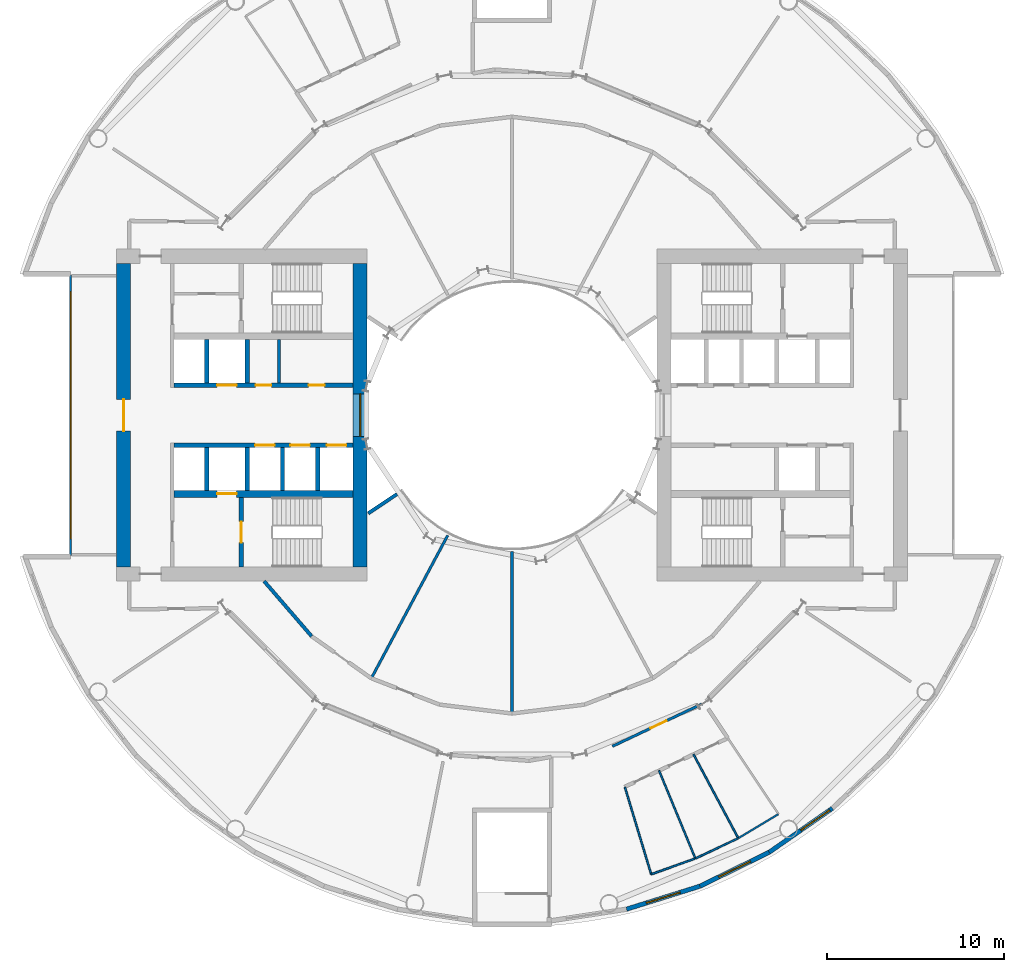
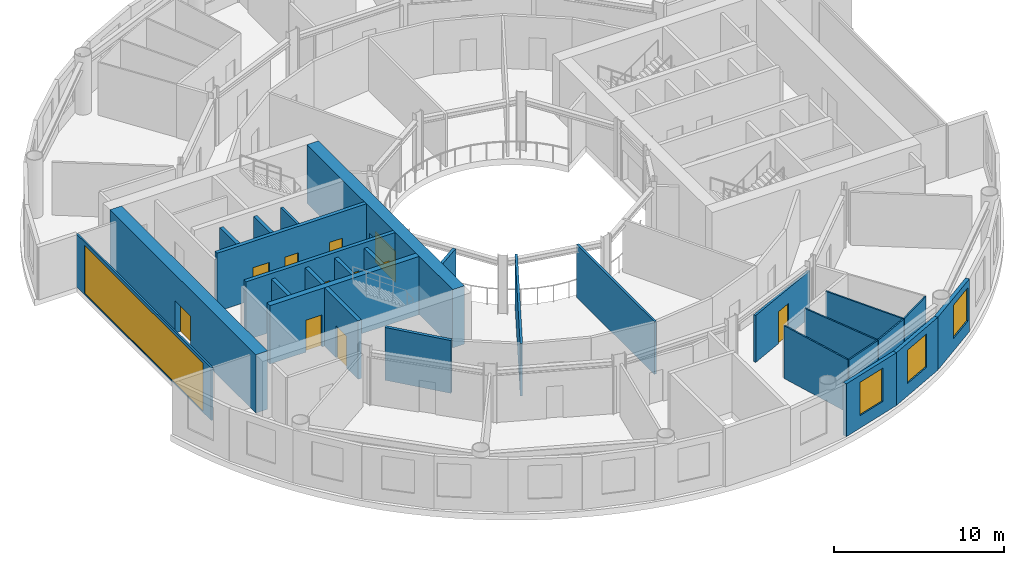
# One storey, part 5 of 13: 28 walls, 10 doors, 5 windows, 15 openings.
"""IFC4 building model written with IfcOpenShell, lengths in metres."""

from ifc_helpers import new_model, si_unit, direction, frame, frame_2d, origin, place, context, subcontext, project, spatial, rectangle, extrude, material, layer, layer_set, type_object, element, fill, save


model = new_model("IFC4")

# Units and contexts
model_context = context("Model", 3, precision=1e-05, world=origin(), true_north=direction((0.0, 1.0)))
body_context = subcontext(model_context, "Body", "Model", "MODEL_VIEW")
ifc_project = project(units=[si_unit("LENGTHUNIT", "METRE"), si_unit("AREAUNIT", "SQUARE_METRE"), si_unit("VOLUMEUNIT", "CUBIC_METRE"), si_unit("PLANEANGLEUNIT", "RADIAN"), si_unit("MASSUNIT", "GRAM", prefix="KILO")], contexts=[model_context])

# Site, building, storey
site_placement = place(None, origin())
site = spatial("IfcSite", under=ifc_project, at=site_placement, CompositionType="ELEMENT")
building_placement = place(site_placement, origin())
building = spatial("IfcBuilding", under=site, at=building_placement, Name="Maasbend Ring Residences", CompositionType="ELEMENT")
storey_placement = place(building_placement, frame((0.0, 0.0, 14.10009765625)))
storey = spatial("IfcBuildingStorey", under=building, at=storey_placement, Name="L03", CompositionType="ELEMENT", Elevation=14.10009765625)

# Wall, openings, doors
ifc_material_1 = material(Name="Concrete C70/85", Category="concrete")
ifc_layer_1 = layer(ifc_material_1, 0.25)
ifc_layer_set_1 = layer_set([ifc_layer_1], Name="Concrete C70/85")
wall_type_1 = type_object("IfcWallType", Name="CORE WALL 250 C70/85", PredefinedType="SHEAR", material=ifc_layer_set_1)
wall_1_placement = place(storey_placement, frame((-9.0, -1.699951171875, 0.0), z_axis=(0.0, 0.0, 1.0), x_axis=(-1.0, 0.0, 0.0)))
wall_1 = element("IfcWall", 1, at=wall_1_placement, inside=storey, type_object=wall_type_1, Name="L03 core W wall SPN", PredefinedType="SHEAR", context=body_context, shape_type="SweptSolid", body=[
    extrude(rectangle(XDim=10.14990234375, YDim=0.25, at=frame_2d((5.074951171875, 0.0))), origin(), (0.0, 0.0, 1.0), 4.199951171875),
])
opening_1_placement = place(wall_1_placement, frame((0.387451171875, 0.0, 0.0)))
opening_1 = element("IfcOpeningElement", 2, at=opening_1_placement, cuts=wall_1, Name="Opening LD-W0301", PredefinedType="OPENING", context=body_context, shape_type="SweptSolid", body=[
    extrude(rectangle(XDim=1.10009765625, YDim=2.300048828125, at=frame_2d((0.550048828125, 1.14990234375))), frame((0.0, 0.135009765625, 0.0), z_axis=(0.0, -1.0, 0.0), x_axis=(1.0, 0.0, 0.0)), (0.0, 0.0, 1.0), 0.27001953125),
])
opening_2_placement = place(wall_1_placement, frame((2.449951171875, 0.0, 0.0)))
opening_2 = element("IfcOpeningElement", 3, at=opening_2_placement, cuts=wall_1, Name="Opening LD-W0302", PredefinedType="OPENING", context=body_context, shape_type="SweptSolid", body=[
    extrude(rectangle(XDim=1.10009765625, YDim=2.300048828125, at=frame_2d((0.550048828125, 1.14990234375))), frame((0.0, 0.135009765625, 0.0), z_axis=(0.0, -1.0, 0.0), x_axis=(1.0, 0.0, 0.0)), (0.0, 0.0, 1.0), 0.27001953125),
])
opening_3_placement = place(wall_1_placement, frame((4.449951171875, 0.0, 0.0)))
opening_3 = element("IfcOpeningElement", 4, at=opening_3_placement, cuts=wall_1, Name="Opening LD-W0303", PredefinedType="OPENING", context=body_context, shape_type="SweptSolid", body=[
    extrude(rectangle(XDim=1.10009765625, YDim=2.300048828125, at=frame_2d((0.550048828125, 1.14990234375))), frame((0.0, 0.135009765625, 0.0), z_axis=(0.0, -1.0, 0.0), x_axis=(1.0, 0.0, 0.0)), (0.0, 0.0, 1.0), 0.27001953125),
])
ifc_material_2 = material(Name="Stainless steel 316", Category="steel")
door_type_1 = type_object("IfcDoorType", Name="LANDING DOOR 1100 X 2300 FD60", OperationType="DOUBLE_DOOR_SLIDING", PredefinedType="DOOR", material=ifc_material_2)
door_1_placement = place(opening_1_placement, origin())
door_1 = element("IfcDoor", 5, at=door_1_placement, inside=storey, type_object=door_type_1, Name="Landing door LR-W1 L03", OperationType="DOUBLE_DOOR_SLIDING", OverallHeight=2.300048828125, OverallWidth=1.10009765625, PredefinedType="DOOR", context=body_context, shape_type="SweptSolid", body=[
    extrude(rectangle(XDim=1.10009765625, YDim=2.300048828125, at=frame_2d((0.550048828125, 1.14990234375))), frame((0.0, 0.02490234375, 0.0), z_axis=(0.0, -1.0, 0.0), x_axis=(1.0, 0.0, 0.0)), (0.0, 0.0, 1.0), 0.050048828125),
])
fill(opening_1, door_1)
door_2_placement = place(opening_2_placement, origin())
door_2 = element("IfcDoor", 6, at=door_2_placement, inside=storey, type_object=door_type_1, Name="Landing door LR-W2 L03", OperationType="DOUBLE_DOOR_SLIDING", OverallHeight=2.300048828125, OverallWidth=1.10009765625, PredefinedType="DOOR", context=body_context, shape_type="SweptSolid", body=[
    extrude(rectangle(XDim=1.10009765625, YDim=2.300048828125, at=frame_2d((0.550048828125, 1.14990234375))), frame((0.0, 0.02490234375, 0.0), z_axis=(0.0, -1.0, 0.0), x_axis=(1.0, 0.0, 0.0)), (0.0, 0.0, 1.0), 0.050048828125),
])
fill(opening_2, door_2)
door_3_placement = place(opening_3_placement, origin())
door_3 = element("IfcDoor", 7, at=door_3_placement, inside=storey, type_object=door_type_1, Name="Landing door LR-W3 L03", OperationType="DOUBLE_DOOR_SLIDING", OverallHeight=2.300048828125, OverallWidth=1.10009765625, PredefinedType="DOOR", context=body_context, shape_type="SweptSolid", body=[
    extrude(rectangle(XDim=1.10009765625, YDim=2.300048828125, at=frame_2d((0.550048828125, 1.14990234375))), frame((0.0, 0.02490234375, 0.0), z_axis=(0.0, -1.0, 0.0), x_axis=(1.0, 0.0, 0.0)), (0.0, 0.0, 1.0), 0.050048828125),
])
fill(opening_3, door_3)

# Wall, opening, door
wall_2_placement = place(storey_placement, frame((-15.324951171875, -4.64990234375, 0.0), z_axis=(0.0, 0.0, 1.0), x_axis=(0.0, -1.0, 0.0)))
wall_2 = element("IfcWall", 8, at=wall_2_placement, inside=storey, type_object=wall_type_1, Name="L03 core W wall STEN", PredefinedType="SHEAR", context=body_context, shape_type="SweptSolid", body=[
    extrude(rectangle(XDim=3.9501953125, YDim=0.25, at=frame_2d((1.97509765625, 0.0))), origin(), (0.0, 0.0, 1.0), 4.199951171875),
])
opening_4_placement = place(wall_2_placement, frame((1.375, 0.0, 0.0)))
opening_4 = element("IfcOpeningElement", 9, at=opening_4_placement, cuts=wall_2, Name="Opening D-W0309", PredefinedType="OPENING", context=body_context, shape_type="SweptSolid", body=[
    extrude(rectangle(XDim=1.199951171875, YDim=2.300048828125, at=frame_2d((0.60009765625, 1.14990234375))), frame((0.0, 0.135009765625, 0.0), z_axis=(0.0, -1.0, 0.0), x_axis=(1.0, 0.0, 0.0)), (0.0, 0.0, 1.0), 0.27001953125),
])
ifc_material_3 = material(Name="Steel, powder coated", Category="steel")
door_type_2 = type_object("IfcDoorType", Name="STAIR DOOR 1200 X 2300 FD60", OperationType="NOTDEFINED", PredefinedType="DOOR", material=ifc_material_3)
door_4_placement = place(opening_4_placement, origin())
door_4 = element("IfcDoor", 10, at=door_4_placement, inside=storey, type_object=door_type_2, Name="Stair door ST-W L03", OperationType="SINGLE_SWING_LEFT", OverallHeight=2.300048828125, OverallWidth=1.199951171875, PredefinedType="DOOR", context=body_context, shape_type="SweptSolid", body=[
    extrude(rectangle(XDim=1.199951171875, YDim=2.300048828125, at=frame_2d((0.60009765625, 1.14990234375))), frame((0.0, 0.02490234375, 0.0), z_axis=(0.0, -1.0, 0.0), x_axis=(1.0, 0.0, 0.0)), (0.0, 0.0, 1.0), 0.050048828125),
])
fill(opening_4, door_4)

# Wall, openings, doors
wall_3_placement = place(storey_placement, frame((-19.14990234375, 1.699951171875, 0.0), z_axis=(0.0, 0.0, 1.0), x_axis=(1.0, 0.0, 0.0)))
wall_3 = element("IfcWall", 11, at=wall_3_placement, inside=storey, type_object=wall_type_1, Name="L03 core W wall SPS", PredefinedType="SHEAR", context=body_context, shape_type="SweptSolid", body=[
    extrude(rectangle(XDim=10.14990234375, YDim=0.25, at=frame_2d((5.074951171875, 0.0))), origin(), (0.0, 0.0, 1.0), 4.199951171875),
])
opening_5_placement = place(wall_3_placement, frame((2.449951171875, 0.0, 0.0)))
opening_5 = element("IfcOpeningElement", 12, at=opening_5_placement, cuts=wall_3, Name="Opening LD-W0305", PredefinedType="OPENING", context=body_context, shape_type="SweptSolid", body=[
    extrude(rectangle(XDim=1.10009765625, YDim=2.300048828125, at=frame_2d((0.550048828125, 1.14990234375))), frame((0.0, 0.135009765625, 0.0), z_axis=(0.0, -1.0, 0.0), x_axis=(1.0, 0.0, 0.0)), (0.0, 0.0, 1.0), 0.27001953125),
])
opening_6_placement = place(wall_3_placement, frame((7.637451171875, 0.0, 0.0)))
opening_6 = element("IfcOpeningElement", 13, at=opening_6_placement, cuts=wall_3, Name="Opening D-W0306", PredefinedType="OPENING", context=body_context, shape_type="SweptSolid", body=[
    extrude(rectangle(XDim=0.89990234375, YDim=2.300048828125, at=frame_2d((0.449951171875, 1.14990234375))), frame((0.0, 0.135009765625, 0.0), z_axis=(0.0, -1.0, 0.0), x_axis=(1.0, 0.0, 0.0)), (0.0, 0.0, 1.0), 0.27001953125),
])
opening_7_placement = place(wall_3_placement, frame((4.625, 0.0, 0.0)))
opening_7 = element("IfcOpeningElement", 14, at=opening_7_placement, cuts=wall_3, Name="Opening D-W0307", PredefinedType="OPENING", context=body_context, shape_type="SweptSolid", body=[
    extrude(rectangle(XDim=0.89990234375, YDim=2.300048828125, at=frame_2d((0.449951171875, 1.14990234375))), frame((0.0, 0.135009765625, 0.0), z_axis=(0.0, -1.0, 0.0), x_axis=(1.0, 0.0, 0.0)), (0.0, 0.0, 1.0), 0.27001953125),
])
door_5_placement = place(opening_5_placement, origin())
door_5 = element("IfcDoor", 15, at=door_5_placement, inside=storey, type_object=door_type_1, Name="Landing door SV-W L03", OperationType="DOUBLE_DOOR_SLIDING", OverallHeight=2.300048828125, OverallWidth=1.10009765625, PredefinedType="DOOR", context=body_context, shape_type="SweptSolid", body=[
    extrude(rectangle(XDim=1.10009765625, YDim=2.300048828125, at=frame_2d((0.550048828125, 1.14990234375))), frame((0.0, 0.02490234375, 0.0), z_axis=(0.0, -1.0, 0.0), x_axis=(1.0, 0.0, 0.0)), (0.0, 0.0, 1.0), 0.050048828125),
])
fill(opening_5, door_5)
ifc_material_4 = material(Name="Steel, powder coated", Category="steel")
door_type_3 = type_object("IfcDoorType", Name="ROOM DOOR 900 X 2300 FD30S", OperationType="NOTDEFINED", PredefinedType="DOOR", material=ifc_material_4)
door_6_placement = place(opening_6_placement, origin())
door_6 = element("IfcDoor", 16, at=door_6_placement, inside=storey, type_object=door_type_3, Name="Room door L03", OperationType="SINGLE_SWING_LEFT", OverallHeight=2.300048828125, OverallWidth=0.89990234375, PredefinedType="DOOR", context=body_context, shape_type="SweptSolid", body=[
    extrude(rectangle(XDim=0.89990234375, YDim=2.300048828125, at=frame_2d((0.449951171875, 1.14990234375))), frame((0.0, 0.02490234375, 0.0), z_axis=(0.0, -1.0, 0.0), x_axis=(1.0, 0.0, 0.0)), (0.0, 0.0, 1.0), 0.050048828125),
])
fill(opening_6, door_6)
door_7_placement = place(opening_7_placement, origin())
door_7 = element("IfcDoor", 17, at=door_7_placement, inside=storey, type_object=door_type_3, Name="Room door L03", OperationType="SINGLE_SWING_LEFT", OverallHeight=2.300048828125, OverallWidth=0.89990234375, PredefinedType="DOOR", context=body_context, shape_type="SweptSolid", body=[
    extrude(rectangle(XDim=0.89990234375, YDim=2.300048828125, at=frame_2d((0.449951171875, 1.14990234375))), frame((0.0, 0.02490234375, 0.0), z_axis=(0.0, -1.0, 0.0), x_axis=(1.0, 0.0, 0.0)), (0.0, 0.0, 1.0), 0.050048828125),
])
fill(opening_7, door_7)

# Wall, opening, door
ifc_material_5 = material(Name="Concrete C70/85", Category="concrete")
ifc_layer_2 = layer(ifc_material_5, 0.375)
ifc_layer_set_2 = layer_set([ifc_layer_2], Name="Concrete C70/85")
wall_type_2 = type_object("IfcWallType", Name="CORE WALL 375 C70/85", PredefinedType="SHEAR", material=ifc_layer_set_2)
wall_4_placement = place(storey_placement, frame((-9.0, -4.46240234375, 0.0), z_axis=(0.0, 0.0, 1.0), x_axis=(-1.0, 0.0, 0.0)))
wall_4 = element("IfcWall", 18, at=wall_4_placement, inside=storey, type_object=wall_type_2, Name="L03 core W wall BN", PredefinedType="SHEAR", context=body_context, shape_type="SweptSolid", body=[
    extrude(rectangle(XDim=10.14990234375, YDim=0.375, at=frame_2d((5.074951171875, 0.0))), origin(), (0.0, 0.0, 1.0), 4.199951171875),
])
opening_8_placement = place(wall_4_placement, frame((6.60009765625, 0.0, 0.0)))
opening_8 = element("IfcOpeningElement", 19, at=opening_8_placement, cuts=wall_4, Name="Opening LD-W0304", PredefinedType="OPENING", context=body_context, shape_type="SweptSolid", body=[
    extrude(rectangle(XDim=1.10009765625, YDim=2.300048828125, at=frame_2d((0.550048828125, 1.14990234375))), frame((0.0, 0.197509765625, 0.0), z_axis=(0.0, -1.0, 0.0), x_axis=(1.0, 0.0, 0.0)), (0.0, 0.0, 1.0), 0.39501953125),
])
door_8_placement = place(opening_8_placement, origin())
door_8 = element("IfcDoor", 20, at=door_8_placement, inside=storey, type_object=door_type_1, Name="Landing door FF-W L03", OperationType="DOUBLE_DOOR_SLIDING", OverallHeight=2.300048828125, OverallWidth=1.10009765625, PredefinedType="DOOR", context=body_context, shape_type="SweptSolid", body=[
    extrude(rectangle(XDim=1.10009765625, YDim=2.300048828125, at=frame_2d((0.550048828125, 1.14990234375))), frame((0.0, 0.02490234375, 0.0), z_axis=(0.0, -1.0, 0.0), x_axis=(1.0, 0.0, 0.0)), (0.0, 0.0, 1.0), 0.050048828125),
])
fill(opening_8, door_8)

ifc_material_6 = material(Name="Concrete C70/85", Category="concrete")
ifc_layer_3 = layer(ifc_material_6, 0.800048828125)
ifc_layer_set_3 = layer_set([ifc_layer_3], Name="Concrete C70/85")
wall_type_3 = type_object("IfcWallType", Name="CORE WALL 800 C70/85", PredefinedType="SHEAR", material=ifc_layer_set_3)
wall_5_placement = place(storey_placement, frame((-22.0, -8.60009765625, 0.0), z_axis=(0.0, 0.0, 1.0), x_axis=(0.0, 1.0, 0.0)))
wall_5 = element("IfcWall", 21, at=wall_5_placement, inside=storey, type_object=wall_type_3, Name="L03 core W wall POUT", PredefinedType="SHEAR", context=body_context, shape_type="SweptSolid", body=[
    extrude(rectangle(XDim=17.2001953125, YDim=0.800048828125, at=frame_2d((8.60009765625, 0.0))), origin(), (0.0, 0.0, 1.0), 4.199951171875),
])
opening_9_placement = place(wall_5_placement, frame((7.699951171875, 0.0, 0.0)))
opening_9 = element("IfcOpeningElement", 22, at=opening_9_placement, cuts=wall_5, Name="Opening D-W0315", PredefinedType="OPENING", context=body_context, shape_type="SweptSolid", body=[
    extrude(rectangle(XDim=1.800048828125, YDim=2.300048828125, at=frame_2d((0.89990234375, 1.14990234375))), frame((0.0, 0.41015625, 0.0), z_axis=(0.0, -1.0, 0.0), x_axis=(1.0, 0.0, 0.0)), (0.0, 0.0, 1.0), 0.820068359375),
])
ifc_material_7 = material(Name="Aluminium frame, clear glass", Category="aluminium")
door_type_4 = type_object("IfcDoorType", Name="ENTRANCE DOOR 1800 X 2300 FD60", OperationType="NOTDEFINED", PredefinedType="DOOR", material=ifc_material_7)
door_9_placement = place(opening_9_placement, origin())
door_9 = element("IfcDoor", 23, at=door_9_placement, inside=storey, type_object=door_type_4, Name="Lobby glazed door L03", OperationType="SINGLE_SWING_LEFT", OverallHeight=2.300048828125, OverallWidth=1.800048828125, PredefinedType="DOOR", context=body_context, shape_type="SweptSolid", body=[
    extrude(rectangle(XDim=1.800048828125, YDim=2.300048828125, at=frame_2d((0.89990234375, 1.14990234375))), frame((0.0, 0.02490234375, 0.0), z_axis=(0.0, -1.0, 0.0), x_axis=(1.0, 0.0, 0.0)), (0.0, 0.0, 1.0), 0.050048828125),
])
fill(opening_9, door_9)

# Wall, opening, window
wall_6_placement = place(storey_placement, frame((-8.60009765625, 8.60009765625, 0.0), z_axis=(0.0, 0.0, 1.0), x_axis=(0.0, -1.0, 0.0)))
wall_6 = element("IfcWall", 24, at=wall_6_placement, inside=storey, type_object=wall_type_3, Name="L03 core W wall PIN", PredefinedType="SHEAR", context=body_context, shape_type="SweptSolid", body=[
    extrude(rectangle(XDim=17.2001953125, YDim=0.800048828125, at=frame_2d((8.60009765625, 0.0))), origin(), (0.0, 0.0, 1.0), 4.199951171875),
])
opening_10_placement = place(wall_6_placement, frame((7.39990234375, 0.0, 0.10009765625)))
opening_10 = element("IfcOpeningElement", 25, at=opening_10_placement, cuts=wall_6, Name="Opening W-W0301", PredefinedType="OPENING", context=body_context, shape_type="SweptSolid", body=[
    extrude(rectangle(XDim=2.39990234375, YDim=2.199951171875, at=frame_2d((1.199951171875, 1.10009765625))), frame((0.0, 0.41015625, 0.0), z_axis=(0.0, -1.0, 0.0), x_axis=(1.0, 0.0, 0.0)), (0.0, 0.0, 1.0), 0.820068359375),
])
ifc_material_8 = material(Name="Aluminium frame and clear glass", Category="aluminium")
window_type_1 = type_object("IfcWindowType", Name="FIXED WINDOW 2400 X 2200", PartitioningType="SINGLE_PANEL", PredefinedType="WINDOW", material=ifc_material_8)
window_1_placement = place(opening_10_placement, origin())
window_1 = element("IfcWindow", 26, at=window_1_placement, inside=storey, type_object=window_type_1, Name="Lobby window L03", OverallHeight=2.199951171875, OverallWidth=2.39990234375, PartitioningType="SINGLE_PANEL", PredefinedType="WINDOW", context=body_context, shape_type="SweptSolid", body=[
    extrude(rectangle(XDim=2.39990234375, YDim=2.199951171875, at=frame_2d((1.199951171875, 1.10009765625))), frame((0.0, 0.030029296875, 0.0), z_axis=(0.0, -1.0, 0.0), x_axis=(1.0, 0.0, 0.0)), (0.0, 0.0, 1.0), 0.06005859375),
])
fill(opening_10, window_1)

# Wall
ifc_material_9 = material(Name="Concrete C30/37", Category="concrete")
ifc_layer_4 = layer(ifc_material_9, 0.199951171875)
ifc_layer_set_4 = layer_set([ifc_layer_4], Name="Concrete C30/37")
wall_type_4 = type_object("IfcWallType", Name="CORRIDOR WALL 200 CONCRETE", PredefinedType="PARTITIONING", material=ifc_layer_set_4)
wall_7_placement = place(storey_placement, frame((-14.04296875, -9.39990234375, 0.0), z_axis=(0.0, 0.0, 1.0), x_axis=(0.653274518104, -0.757121129012, 0.0)))
element("IfcWall", 27, at=wall_7_placement, inside=storey, type_object=wall_type_4, Name="U-L03-w010", PredefinedType="PARTITIONING", context=body_context, shape_type="SweptSolid", body=[
    extrude(rectangle(XDim=4.12353515625, YDim=0.199951171875, at=frame_2d((2.061767578125, 0.0))), origin(), (0.0, 0.0, 1.0), 3.7998046875),
])

# Wall, opening, window
ifc_material_10 = material(Name="Aluminium clad insulated panel", Category="aluminium")
ifc_layer_5 = layer(ifc_material_10, 0.25)
ifc_layer_set_5 = layer_set([ifc_layer_5], Name="EW-GL")
wall_type_5 = type_object("IfcWallType", Name="EW-GL", PredefinedType="SOLIDWALL", material=ifc_layer_set_5)
wall_8_placement = place(storey_placement, frame((6.489013671875, -27.98193359375, 0.0), z_axis=(0.0, 0.0, 1.0), x_axis=(0.954219534331, 0.299107138498, 0.0)))
wall_8 = element("IfcWall", 28, at=wall_8_placement, inside=storey, type_object=wall_type_5, Name="Community floor wall 28", PredefinedType="SOLIDWALL", context=body_context, shape_type="SweptSolid", body=[
    extrude(rectangle(XDim=4.359375, YDim=0.25, at=frame_2d((2.1796875, 0.0))), origin(), (0.0, 0.0, 1.0), 3.7998046875),
])
opening_11_placement = place(wall_8_placement, frame((1.179931640625, 0.0, 0.89990234375)))
opening_11 = element("IfcOpeningElement", 29, at=opening_11_placement, cuts=wall_8, Name="Opening W-BD", PredefinedType="OPENING", context=body_context, shape_type="SweptSolid", body=[
    extrude(rectangle(XDim=2.0, YDim=2.39990234375, at=frame_2d((1.0, 1.199951171875))), frame((0.0, 0.135009765625, 0.0), z_axis=(0.0, -1.0, 0.0), x_axis=(1.0, 0.0, 0.0)), (0.0, 0.0, 1.0), 0.27001953125),
])
ifc_material_11 = material(Name="Aluminium and clear glass", Category="aluminium")
window_type_2 = type_object("IfcWindowType", Name="W-BD", PartitioningType="DOUBLE_PANEL_VERTICAL", PredefinedType="WINDOW", material=ifc_material_11)
window_2_placement = place(opening_11_placement, origin())
window_2 = element("IfcWindow", 30, at=window_2_placement, inside=storey, type_object=window_type_2, Name="Community floor window 28", OverallHeight=2.39990234375, OverallWidth=2.0, PartitioningType="SINGLE_PANEL", PredefinedType="WINDOW", context=body_context, shape_type="SweptSolid", body=[
    extrude(rectangle(XDim=2.0, YDim=2.39990234375, at=frame_2d((1.0, 1.199951171875))), frame((0.0, 0.030029296875, 0.0), z_axis=(0.0, -1.0, 0.0), x_axis=(1.0, 0.0, 0.0)), (0.0, 0.0, 1.0), 0.06005859375),
])
fill(opening_11, window_2)

wall_9_placement = place(storey_placement, frame((10.64892578125, -26.677978515625, 0.0), z_axis=(0.0, 0.0, 1.0), x_axis=(0.897938079481, 0.440121807478, 0.0)))
wall_9 = element("IfcWall", 31, at=wall_9_placement, inside=storey, type_object=wall_type_5, Name="Community floor wall 29", PredefinedType="SOLIDWALL", context=body_context, shape_type="SweptSolid", body=[
    extrude(rectangle(XDim=4.360107421875, YDim=0.25, at=frame_2d((2.18017578125, 0.0))), origin(), (0.0, 0.0, 1.0), 3.7998046875),
])
opening_12_placement = place(wall_9_placement, frame((1.179931640625, 0.0, 0.89990234375)))
opening_12 = element("IfcOpeningElement", 32, at=opening_12_placement, cuts=wall_9, Name="Opening W-BD", PredefinedType="OPENING", context=body_context, shape_type="SweptSolid", body=[
    extrude(rectangle(XDim=2.0, YDim=2.39990234375, at=frame_2d((1.0, 1.199951171875))), frame((0.0, 0.135009765625, 0.0), z_axis=(0.0, -1.0, 0.0), x_axis=(1.0, 0.0, 0.0)), (0.0, 0.0, 1.0), 0.27001953125),
])
window_3_placement = place(opening_12_placement, origin())
window_3 = element("IfcWindow", 33, at=window_3_placement, inside=storey, type_object=window_type_2, Name="Community floor window 29", OverallHeight=2.39990234375, OverallWidth=2.0, PartitioningType="SINGLE_PANEL", PredefinedType="WINDOW", context=body_context, shape_type="SweptSolid", body=[
    extrude(rectangle(XDim=2.0, YDim=2.39990234375, at=frame_2d((1.0, 1.199951171875))), frame((0.0, 0.030029296875, 0.0), z_axis=(0.0, -1.0, 0.0), x_axis=(1.0, 0.0, 0.0)), (0.0, 0.0, 1.0), 0.06005859375),
])
fill(opening_12, window_3)

wall_10_placement = place(storey_placement, frame((14.56396484375, -24.759033203125, 0.0), z_axis=(0.0, 0.0, 1.0), x_axis=(0.820990800869, 0.57094141984, 0.0)))
wall_10 = element("IfcWall", 34, at=wall_10_placement, inside=storey, type_object=wall_type_5, Name="Community floor wall 30", PredefinedType="SOLIDWALL", context=body_context, shape_type="SweptSolid", body=[
    extrude(rectangle(XDim=4.359375, YDim=0.25, at=frame_2d((2.1796875, 0.0))), origin(), (0.0, 0.0, 1.0), 3.7998046875),
])
opening_13_placement = place(wall_10_placement, frame((2.1826171875, 0.0, 0.89990234375)))
opening_13 = element("IfcOpeningElement", 35, at=opening_13_placement, cuts=wall_10, Name="Opening W-BD", PredefinedType="OPENING", context=body_context, shape_type="SweptSolid", body=[
    extrude(rectangle(XDim=2.0, YDim=2.39990234375, at=frame_2d((1.0, 1.199951171875))), frame((0.0, 0.135009765625, 0.0), z_axis=(0.0, -1.0, 0.0), x_axis=(1.0, 0.0, 0.0)), (0.0, 0.0, 1.0), 0.27001953125),
])
window_4_placement = place(opening_13_placement, origin())
window_4 = element("IfcWindow", 36, at=window_4_placement, inside=storey, type_object=window_type_2, Name="Community floor window 30", OverallHeight=2.39990234375, OverallWidth=2.0, PartitioningType="SINGLE_PANEL", PredefinedType="WINDOW", context=body_context, shape_type="SweptSolid", body=[
    extrude(rectangle(XDim=2.0, YDim=2.39990234375, at=frame_2d((1.0, 1.199951171875))), frame((0.0, 0.030029296875, 0.0), z_axis=(0.0, -1.0, 0.0), x_axis=(1.0, 0.0, 0.0)), (0.0, 0.0, 1.0), 0.06005859375),
])
fill(opening_13, window_4)

ifc_material_12 = material(Name="Aluminium frame and clear glass", Category="aluminium")
ifc_layer_6 = layer(ifc_material_12, 0.1201171875)
ifc_layer_set_6 = layer_set([ifc_layer_6], Name="GLAZED SCREEN WALL 120 EI 60")
wall_type_6 = type_object("IfcWallType", Name="GLAZED SCREEN WALL 120 EI 60", PredefinedType="PARTITIONING", material=ifc_layer_set_6)
wall_11_placement = place(storey_placement, frame((-25.0, 7.949951171875, 0.0), z_axis=(0.0, 0.0, 1.0), x_axis=(0.0, -1.0, 0.0)))
wall_11 = element("IfcWall", 37, at=wall_11_placement, inside=storey, type_object=wall_type_6, Name="L03 core W wall FACE", PredefinedType="PARTITIONING", context=body_context, shape_type="SweptSolid", body=[
    extrude(rectangle(XDim=15.89990234375, YDim=0.1201171875, at=frame_2d((7.949951171875, 0.0))), origin(), (0.0, 0.0, 1.0), 3.7998046875),
])
opening_14_placement = place(wall_11_placement, frame((0.949951171875, 0.0, 0.10009765625)))
opening_14 = element("IfcOpeningElement", 38, at=opening_14_placement, cuts=wall_11, Name="Opening W-W0302", PredefinedType="OPENING", context=body_context, shape_type="SweptSolid", body=[
    extrude(rectangle(XDim=14.0, YDim=3.449951171875, at=frame_2d((7.0, 1.72509765625))), frame((0.0, 0.070068359375, 0.0), z_axis=(0.0, -1.0, 0.0), x_axis=(1.0, 0.0, 0.0)), (0.0, 0.0, 1.0), 0.14013671875),
])
ifc_material_13 = material(Name="Aluminium frame and clear glass", Category="aluminium")
window_type_3 = type_object("IfcWindowType", Name="FIXED WINDOW 14000 X 3450", PartitioningType="SINGLE_PANEL", PredefinedType="WINDOW", material=ifc_material_13)
window_5_placement = place(opening_14_placement, origin())
window_5 = element("IfcWindow", 39, at=window_5_placement, inside=storey, type_object=window_type_3, Name="Lobby window L03", OverallHeight=3.449951171875, OverallWidth=14.0, PartitioningType="SINGLE_PANEL", PredefinedType="WINDOW", context=body_context, shape_type="SweptSolid", body=[
    extrude(rectangle(XDim=14.0, YDim=3.449951171875, at=frame_2d((7.0, 1.72509765625))), frame((0.0, 0.030029296875, 0.0), z_axis=(0.0, -1.0, 0.0), x_axis=(1.0, 0.0, 0.0)), (0.0, 0.0, 1.0), 0.06005859375),
])
fill(opening_14, window_5)

# Walls
ifc_material_14 = material(Name="Gypsum board on steel studs", Category="steel")
ifc_layer_7 = layer(ifc_material_14, 0.10009765625)
ifc_layer_set_7 = layer_set([ifc_layer_7], Name="PARTITION 100 GYPSUM")
wall_type_7 = type_object("IfcWallType", Name="PARTITION 100 GYPSUM", PredefinedType="PARTITIONING", material=ifc_layer_set_7)
wall_12_placement = place(storey_placement, frame((8.326904296875, -20.135009765625, 0.0), z_axis=(0.0, 0.0, 1.0), x_axis=(0.38229040446, -0.924042232075, 0.0)))
element("IfcWall", 40, at=wall_12_placement, inside=storey, type_object=wall_type_7, Name="U-L03-w038", PredefinedType="PARTITIONING", context=body_context, shape_type="SweptSolid", body=[
    extrude(rectangle(XDim=5.38623046875, YDim=0.10009765625, at=frame_2d((2.693115234375, 0.0))), origin(), (0.0, 0.0, 1.0), 3.7998046875),
])
wall_13_placement = place(storey_placement, frame((10.277099609375, -19.2119140625, 0.0), z_axis=(0.0, 0.0, 1.0), x_axis=(0.471698142177, -0.881760093601, 0.0)))
element("IfcWall", 41, at=wall_13_placement, inside=storey, type_object=wall_type_7, Name="U-L03-w039", PredefinedType="PARTITIONING", context=body_context, shape_type="SweptSolid", body=[
    extrude(rectangle(XDim=5.386962890625, YDim=0.10009765625, at=frame_2d((2.693359375, 0.0))), origin(), (0.0, 0.0, 1.0), 3.7998046875),
])
wall_14_placement = place(storey_placement, frame((10.3720703125, -25.116943359375, 0.0), z_axis=(0.0, 0.0, 1.0), x_axis=(-0.941651844769, -0.336588477585, 0.0)))
element("IfcWall", 42, at=wall_14_placement, inside=storey, type_object=wall_type_7, Name="U-L03-w071", PredefinedType="PARTITIONING", context=body_context, shape_type="SweptSolid", body=[
    extrude(rectangle(XDim=2.637939453125, YDim=0.10009765625, at=frame_2d((1.31884765625, 0.0))), origin(), (0.0, 0.0, 1.0), 3.7998046875),
])
wall_15_placement = place(storey_placement, frame((7.887939453125, -26.0048828125, 0.0), z_axis=(0.0, 0.0, 1.0), x_axis=(-0.290192738678, 0.956968220172, 0.0)))
element("IfcWall", 43, at=wall_15_placement, inside=storey, type_object=wall_type_7, Name="U-L03-w072", PredefinedType="PARTITIONING", context=body_context, shape_type="SweptSolid", body=[
    extrude(rectangle(XDim=5.15478515625, YDim=0.10009765625, at=frame_2d((2.577392578125, 0.0))), origin(), (0.0, 0.0, 1.0), 3.7998046875),
])
wall_16_placement = place(storey_placement, frame((12.800048828125, -23.970947265625, 0.0), z_axis=(0.0, 0.0, 1.0), x_axis=(-0.904104040696, -0.427312395792, 0.0)))
element("IfcWall", 44, at=wall_16_placement, inside=storey, type_object=wall_type_7, Name="U-L03-w073", PredefinedType="PARTITIONING", context=body_context, shape_type="SweptSolid", body=[
    extrude(rectangle(XDim=2.644775390625, YDim=0.10009765625, at=frame_2d((1.322265625, 0.0))), origin(), (0.0, 0.0, 1.0), 3.7998046875),
])
wall_17_placement = place(storey_placement, frame((15.0810546875, -22.60498046875, 0.0), z_axis=(0.0, 0.0, 1.0), x_axis=(-0.857616279358, -0.514290110132, 0.0)))
element("IfcWall", 45, at=wall_17_placement, inside=storey, type_object=wall_type_7, Name="U-L03-w074", PredefinedType="PARTITIONING", context=body_context, shape_type="SweptSolid", body=[
    extrude(rectangle(XDim=2.618896484375, YDim=0.10009765625, at=frame_2d((1.3095703125, 0.0))), origin(), (0.0, 0.0, 1.0), 3.7998046875),
])
ifc_material_15 = material(Name="Gypsum board on steel studs", Category="steel")
ifc_layer_8 = layer(ifc_material_15, 0.14990234375)
ifc_layer_set_8 = layer_set([ifc_layer_8], Name="PARTITION 150 EI 60")
wall_type_8 = type_object("IfcWallType", Name="PARTITION 150 EI 60", PredefinedType="PARTITIONING", material=ifc_layer_set_8)
wall_18_placement = place(storey_placement, frame((-13.199951171875, 1.824951171875, 0.0), z_axis=(0.0, 0.0, 1.0), x_axis=(0.0, 1.0, 0.0)))
element("IfcWall", 46, at=wall_18_placement, inside=storey, type_object=wall_type_8, Name="L03 core W wall PRS1320", PredefinedType="PARTITIONING", context=body_context, shape_type="SweptSolid", body=[
    extrude(rectangle(XDim=2.449951171875, YDim=0.14990234375, at=frame_2d((1.22509765625, 0.0))), origin(), (0.0, 0.0, 1.0), 3.7998046875),
])

# Wall, opening, door
ifc_material_16 = material(Name="Gypsum board on steel studs", Category="steel")
ifc_layer_9 = layer(ifc_material_16, 0.14990234375)
ifc_layer_set_9 = layer_set([ifc_layer_9], Name="PARTITION 150 GYPSUM")
wall_type_9 = type_object("IfcWallType", Name="PARTITION 150 GYPSUM", PredefinedType="PARTITIONING", material=ifc_layer_set_9)
wall_19_placement = place(storey_placement, frame((5.68994140625, -18.756103515625, 0.0), z_axis=(0.0, 0.0, 1.0), x_axis=(0.903965018344, 0.42760641437, 0.0)))
wall_19 = element("IfcWall", 47, at=wall_19_placement, inside=storey, type_object=wall_type_9, Name="U-L03-w006", PredefinedType="PARTITIONING", context=body_context, shape_type="SweptSolid", body=[
    extrude(rectangle(XDim=5.5986328125, YDim=0.14990234375, at=frame_2d((2.79931640625, 0.0))), origin(), (0.0, 0.0, 1.0), 3.3798828125),
])
opening_15_placement = place(wall_19_placement, frame((2.3759765625, 0.0, 0.0)))
opening_15 = element("IfcOpeningElement", 48, at=opening_15_placement, cuts=wall_19, Name="Opening D-0305", PredefinedType="OPENING", context=body_context, shape_type="SweptSolid", body=[
    extrude(rectangle(XDim=1.0, YDim=2.300048828125, at=frame_2d((0.5, 1.14990234375))), frame((0.0, 0.0849609375, 0.0), z_axis=(0.0, -1.0, 0.0), x_axis=(1.0, 0.0, 0.0)), (0.0, 0.0, 1.0), 0.169921875),
])
ifc_material_17 = material(Name="Timber, painted", Category="wood")
door_type_5 = type_object("IfcDoorType", Name="ROOM DOOR 1000 X 2300", OperationType="NOTDEFINED", PredefinedType="DOOR", material=ifc_material_17)
door_10_placement = place(opening_15_placement, origin())
door_10 = element("IfcDoor", 49, at=door_10_placement, inside=storey, type_object=door_type_5, Name="D-0305", OperationType="SINGLE_SWING_RIGHT", OverallHeight=2.300048828125, OverallWidth=1.0, PredefinedType="DOOR", context=body_context, shape_type="SweptSolid", body=[
    extrude(rectangle(XDim=1.0, YDim=2.300048828125, at=frame_2d((0.5, 1.14990234375))), frame((0.0, 0.02490234375, 0.0), z_axis=(0.0, -1.0, 0.0), x_axis=(1.0, 0.0, 0.0)), (0.0, 0.0, 1.0), 0.050048828125),
])
fill(opening_15, door_10)

# Walls
wall_20_placement = place(storey_placement, frame((-7.967041015625, -14.904052734375, 0.0), z_axis=(0.0, 0.0, 1.0), x_axis=(0.471460365694, 0.881887251059, 0.0)))
element("IfcWall", 50, at=wall_20_placement, inside=storey, type_object=wall_type_9, Name="U-L03-w031", PredefinedType="PARTITIONING", context=body_context, shape_type="SweptSolid", body=[
    extrude(rectangle(XDim=9.18017578125, YDim=0.14990234375, at=frame_2d((4.590087890625, 0.0))), origin(), (0.0, 0.0, 1.0), 3.7998046875),
])
wall_21_placement = place(storey_placement, frame((0.0, -16.89990234375, 0.0), z_axis=(0.0, 0.0, 1.0), x_axis=(0.0, 1.0, 0.0)))
element("IfcWall", 51, at=wall_21_placement, inside=storey, type_object=wall_type_9, Name="U-L03-w033", PredefinedType="PARTITIONING", context=body_context, shape_type="SweptSolid", body=[
    extrude(rectangle(XDim=9.179931640625, YDim=0.14990234375, at=frame_2d((4.58984375, 0.0))), origin(), (0.0, 0.0, 1.0), 3.7998046875),
])
ifc_material_18 = material(Name="Concrete C30/37", Category="concrete")
ifc_layer_10 = layer(ifc_material_18, 0.199951171875)
ifc_layer_set_10 = layer_set([ifc_layer_10], Name="Concrete C30/37")
wall_type_10 = type_object("IfcWallType", Name="PARTY WALL 200 CONCRETE", PredefinedType="PARTITIONING", material=ifc_layer_set_10)
wall_22_placement = place(storey_placement, frame((-6.512939453125, -4.471923828125, 0.0), z_axis=(0.0, 0.0, 1.0), x_axis=(-0.831417956244, -0.555647533996, 0.0)))
element("IfcWall", 52, at=wall_22_placement, inside=storey, type_object=wall_type_10, Name="U-L03-w021", PredefinedType="PARTITIONING", context=body_context, shape_type="SweptSolid", body=[
    extrude(rectangle(XDim=1.9619140625, YDim=0.199951171875, at=frame_2d((0.98095703125, 0.0))), origin(), (0.0, 0.0, 1.0), 3.7998046875),
])
ifc_material_19 = material(Name="Concrete C30/37", Category="concrete")
ifc_layer_11 = layer(ifc_material_19, 0.25)
ifc_layer_set_11 = layer_set([ifc_layer_11], Name="Concrete C30/37")
wall_type_11 = type_object("IfcWallType", Name="SHAFT WALL 250 EI 120", PredefinedType="SOLIDWALL", material=ifc_layer_set_11)
for number, where, z_axis, x_axis, name in (
    (53, (-15.0, -1.824951171875, 0.0), (0.0, 0.0, 1.0), (0.0, -1.0, 0.0), "L03 core W wall D150N"),
    (54, (-17.300048828125, -1.824951171875, 0.0), (0.0, 0.0, 1.0), (0.0, -1.0, 0.0), "L03 core W wall D173N"),
    (55, (-15.0, 1.824951171875, 0.0), (0.0, 0.0, 1.0), (0.0, 1.0, 0.0), "L03 core W wall D150S"),
    (56, (-17.300048828125, 1.824951171875, 0.0), (0.0, 0.0, 1.0), (0.0, 1.0, 0.0), "L03 core W wall D173S"),
    (57, (-11.0, -1.824951171875, 0.0), (0.0, 0.0, 1.0), (0.0, -1.0, 0.0), "L03 core W wall D110N"),
    (58, (-13.0, -1.824951171875, 0.0), (0.0, 0.0, 1.0), (0.0, -1.0, 0.0), "L03 core W wall D130N"),
):
    element("IfcWall", number, at=place(storey_placement, frame(where, z_axis=z_axis, x_axis=x_axis)), inside=storey, type_object=wall_type_11, Name=name, PredefinedType="SOLIDWALL", context=body_context, shape_type="SweptSolid", body=[
        extrude(rectangle(XDim=2.449951171875, YDim=0.25, at=frame_2d((1.22509765625, 0.0))), origin(), (0.0, 0.0, 1.0), 3.7998046875),
    ])

save(model, "model.ifc")
